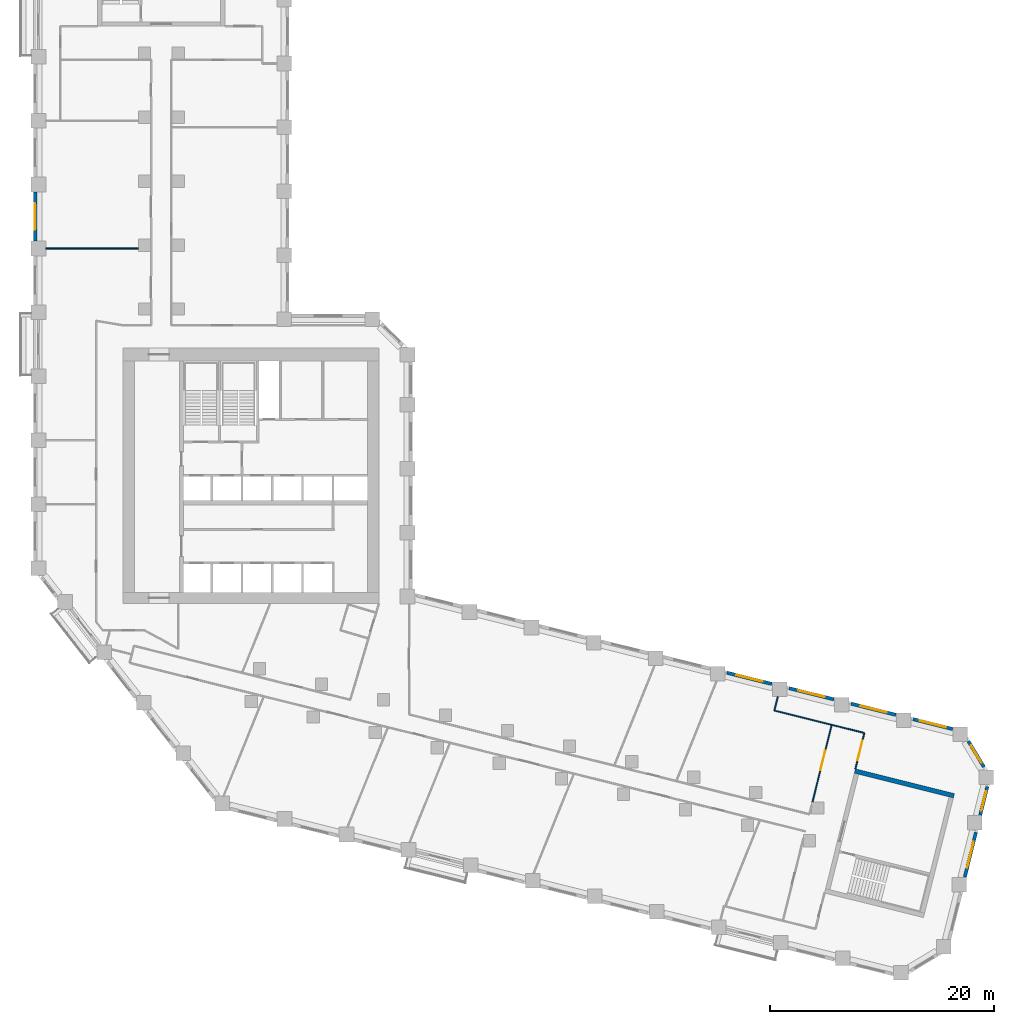
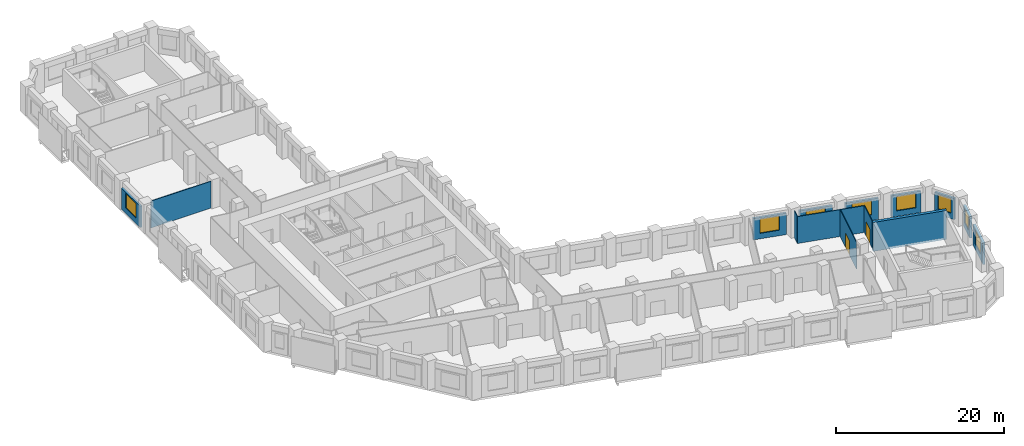
# One storey, part 7 of 10: 15 walls, 8 windows, 2 doors, 10 openings.
"""IFC4 building model written with IfcOpenShell, lengths in metres."""

from ifc_helpers import new_model, si_unit, direction, frame, frame_2d, origin, place, context, subcontext, project, spatial, rectangle, extrude, material, layer, layer_set, type_object, element, fill, save


model = new_model("IFC4")

# Units and contexts
model_context = context("Model", 3, precision=1e-05, world=origin(), true_north=direction((0.0, 1.0)))
body_context = subcontext(model_context, "Body", "Model", "MODEL_VIEW")
ifc_project = project(units=[si_unit("LENGTHUNIT", "METRE"), si_unit("AREAUNIT", "SQUARE_METRE"), si_unit("VOLUMEUNIT", "CUBIC_METRE"), si_unit("PLANEANGLEUNIT", "RADIAN"), si_unit("MASSUNIT", "GRAM", prefix="KILO")], contexts=[model_context])

# Site, building, storey
site_placement = place(None, origin())
site = spatial("IfcSite", under=ifc_project, at=site_placement, CompositionType="ELEMENT")
building_placement = place(site_placement, origin())
building = spatial("IfcBuilding", under=site, at=building_placement, Name="Meshkara Civic Tower", CompositionType="ELEMENT")
storey_placement = place(building_placement, frame((0.0, 0.0, 126.60009765625)))
storey = spatial("IfcBuildingStorey", under=building, at=storey_placement, Name="L28", CompositionType="ELEMENT", Elevation=126.60009765625)

# Wall, opening, door
ifc_material_1 = material(Name="Corridor wall 100")
ifc_layer_1 = layer(ifc_material_1, 0.10009765625)
ifc_layer_set_1 = layer_set([ifc_layer_1], Name="Corridor wall 100")
wall_type_1 = type_object("IfcWallType", Name="Corridor wall 100", PredefinedType="PARTITIONING", material=ifc_layer_set_1)
wall_1_placement = place(storey_placement, frame((71.177001953125, 3.278076171875, 0.0), z_axis=(0.0, 0.0, 1.0), x_axis=(-0.241853852342, -0.970312688831, 0.0)))
wall_1 = element("IfcWall", 1, at=wall_1_placement, inside=storey, type_object=wall_type_1, Name="L28-W028", PredefinedType="PARTITIONING", context=body_context, shape_type="SweptSolid", body=[
    extrude(rectangle(XDim=7.078369140625, YDim=0.10009765625, at=frame_2d((3.5390625, 0.0))), origin(), (0.0, 0.0, 1.0), 3.89990234375),
])
opening_1_placement = place(wall_1_placement, frame((2.3798828125, 0.0, 0.0)))
opening_1 = element("IfcOpeningElement", 2, at=opening_1_placement, cuts=wall_1, Name="Opening L28-D010", PredefinedType="OPENING", context=body_context, shape_type="SweptSolid", body=[
    extrude(rectangle(XDim=1.800048828125, YDim=2.10009765625, at=frame_2d((0.89990234375, 1.050048828125))), frame((0.0, 0.06005859375, 0.0), z_axis=(0.0, -1.0, 0.0), x_axis=(1.0, 0.0, 0.0)), (0.0, 0.0, 1.0), 0.1201171875),
])
ifc_material_2 = material(Name="Door pair 1800 x 2100")
door_type = type_object("IfcDoorType", Name="Door pair 1800 x 2100", OperationType="SINGLE_SWING_LEFT", PredefinedType="DOOR", material=ifc_material_2)
door_1_placement = place(opening_1_placement, origin())
door_1 = element("IfcDoor", 3, at=door_1_placement, inside=storey, type_object=door_type, Name="L28-D010", OperationType="DOUBLE_DOOR_SINGLE_SWING", OverallHeight=2.10009765625, OverallWidth=1.800048828125, PredefinedType="DOOR", context=body_context, shape_type="SweptSolid", body=[
    extrude(rectangle(XDim=1.800048828125, YDim=2.10009765625, at=frame_2d((0.89990234375, 1.050048828125))), frame((0.0, 0.02490234375, 0.0), z_axis=(0.0, -1.0, 0.0), x_axis=(1.0, 0.0, 0.0)), (0.0, 0.0, 1.0), 0.050048828125),
])
fill(opening_1, door_1)

wall_2_placement = place(storey_placement, frame((73.2900390625, -0.64990234375, 0.0), z_axis=(0.0, 0.0, 1.0), x_axis=(0.241786986316, 0.970329352977, 0.0)))
wall_2 = element("IfcWall", 4, at=wall_2_placement, inside=storey, type_object=wall_type_1, Name="L28-W029", PredefinedType="PARTITIONING", context=body_context, shape_type="SweptSolid", body=[
    extrude(rectangle(XDim=3.2998046875, YDim=0.10009765625, at=frame_2d((1.64990234375, 0.0))), origin(), (0.0, 0.0, 1.0), 3.89990234375),
])
opening_2_placement = place(wall_2_placement, frame((0.780029296875, 0.0, 0.0)))
opening_2 = element("IfcOpeningElement", 5, at=opening_2_placement, cuts=wall_2, Name="Opening L28-D011", PredefinedType="OPENING", context=body_context, shape_type="SweptSolid", body=[
    extrude(rectangle(XDim=1.800048828125, YDim=2.10009765625, at=frame_2d((0.89990234375, 1.050048828125))), frame((0.0, 0.06005859375, 0.0), z_axis=(0.0, -1.0, 0.0), x_axis=(1.0, 0.0, 0.0)), (0.0, 0.0, 1.0), 0.1201171875),
])
door_2_placement = place(opening_2_placement, origin())
door_2 = element("IfcDoor", 6, at=door_2_placement, inside=storey, type_object=door_type, Name="L28-D011", OperationType="DOUBLE_DOOR_SINGLE_SWING", OverallHeight=2.10009765625, OverallWidth=1.800048828125, PredefinedType="DOOR", context=body_context, shape_type="SweptSolid", body=[
    extrude(rectangle(XDim=1.800048828125, YDim=2.10009765625, at=frame_2d((0.89990234375, 1.050048828125))), frame((0.0, 0.02490234375, 0.0), z_axis=(0.0, -1.0, 0.0), x_axis=(1.0, 0.0, 0.0)), (0.0, 0.0, 1.0), 0.050048828125),
])
fill(opening_2, door_2)

# Wall
wall_3_placement = place(storey_placement, frame((74.087890625, 2.552001953125, 0.0), z_axis=(0.0, 0.0, 1.0), x_axis=(-0.970271610033, 0.242018600037, 0.0)))
element("IfcWall", 7, at=wall_3_placement, inside=storey, type_object=wall_type_1, Name="L28-W030", PredefinedType="PARTITIONING", context=body_context, shape_type="SweptSolid", body=[
    extrude(rectangle(XDim=3.0, YDim=0.10009765625, at=frame_2d((1.5, 0.0))), origin(), (0.0, 0.0, 1.0), 3.89990234375),
])

# Wall, opening, window
ifc_material_3 = material(Name="Insulated infill panel with bronze anodised aluminium cladding", Category="aluminium")
ifc_layer_2 = layer(ifc_material_3, 0.300048828125)
ifc_layer_set_2 = layer_set([ifc_layer_2], Name="EXTERNAL INFILL WALL 300")
wall_type_2 = type_object("IfcWallType", Name="EXTERNAL INFILL WALL 300", PredefinedType="SOLIDWALL", material=ifc_layer_set_2)
wall_4_placement = place(storey_placement, frame((81.962890625, 2.906982421875, 0.0), z_axis=(0.0, 0.0, 1.0), x_axis=(-0.970248953144, 0.24210941519, 0.0)))
wall_4 = element("IfcWall", 8, at=wall_4_placement, inside=storey, type_object=wall_type_2, Name="External wall", PredefinedType="SOLIDWALL", context=body_context, shape_type="SweptSolid", body=[
    extrude(rectangle(XDim=3.63916015625, YDim=0.300048828125, at=frame_2d((1.819580078125, 0.0))), origin(), (0.0, 0.0, 1.0), 3.099853515625),
])
opening_3_placement = place(wall_4_placement, frame((0.6201171875, 0.0, 0.800048828125)))
opening_3 = element("IfcOpeningElement", 9, at=opening_3_placement, cuts=wall_4, Name="Opening W7", PredefinedType="OPENING", context=body_context, shape_type="SweptSolid", body=[
    extrude(rectangle(XDim=2.39990234375, YDim=2.10009765625, at=frame_2d((1.199951171875, 1.050048828125))), frame((0.0, 0.159912109375, 0.0), z_axis=(0.0, -1.0, 0.0), x_axis=(1.0, 0.0, 0.0)), (0.0, 0.0, 1.0), 0.320068359375),
])
ifc_material_4 = material(Name="Tinted double glazing", Category="glass")
window_type_1 = type_object("IfcWindowType", Name="WINDOW 2400x2100", PartitioningType="DOUBLE_PANEL_VERTICAL", PredefinedType="WINDOW", material=ifc_material_4)
window_1_placement = place(opening_3_placement, origin())
window_1 = element("IfcWindow", 10, at=window_1_placement, inside=storey, type_object=window_type_1, Name="Window", OverallHeight=2.10009765625, OverallWidth=2.39990234375, PartitioningType="DOUBLE_PANEL_VERTICAL", PredefinedType="WINDOW", context=body_context, shape_type="SweptSolid", body=[
    extrude(rectangle(XDim=2.39990234375, YDim=2.10009765625, at=frame_2d((1.199951171875, 1.050048828125))), frame((0.0, 0.030029296875, 0.0), z_axis=(0.0, -1.0, 0.0), x_axis=(1.0, 0.0, 0.0)), (0.0, 0.0, 1.0), 0.06005859375),
])
fill(opening_3, window_1)

wall_5_placement = place(storey_placement, frame((76.903076171875, 4.1689453125, 0.0), z_axis=(0.0, 0.0, 1.0), x_axis=(-0.970267747908, 0.242034083076, 0.0)))
wall_5 = element("IfcWall", 11, at=wall_5_placement, inside=storey, type_object=wall_type_2, Name="External wall", PredefinedType="SOLIDWALL", context=body_context, shape_type="SweptSolid", body=[
    extrude(rectangle(XDim=4.12353515625, YDim=0.300048828125, at=frame_2d((2.061767578125, 0.0))), origin(), (0.0, 0.0, 1.0), 3.099853515625),
])
opening_4_placement = place(wall_5_placement, frame((0.862060546875, 0.0, 0.800048828125)))
opening_4 = element("IfcOpeningElement", 12, at=opening_4_placement, cuts=wall_5, Name="Opening W7", PredefinedType="OPENING", context=body_context, shape_type="SweptSolid", body=[
    extrude(rectangle(XDim=2.39990234375, YDim=2.10009765625, at=frame_2d((1.199951171875, 1.050048828125))), frame((0.0, 0.159912109375, 0.0), z_axis=(0.0, -1.0, 0.0), x_axis=(1.0, 0.0, 0.0)), (0.0, 0.0, 1.0), 0.320068359375),
])
window_2_placement = place(opening_4_placement, origin())
window_2 = element("IfcWindow", 13, at=window_2_placement, inside=storey, type_object=window_type_1, Name="Window", OverallHeight=2.10009765625, OverallWidth=2.39990234375, PartitioningType="DOUBLE_PANEL_VERTICAL", PredefinedType="WINDOW", context=body_context, shape_type="SweptSolid", body=[
    extrude(rectangle(XDim=2.39990234375, YDim=2.10009765625, at=frame_2d((1.199951171875, 1.050048828125))), frame((0.0, 0.030029296875, 0.0), z_axis=(0.0, -1.0, 0.0), x_axis=(1.0, 0.0, 0.0)), (0.0, 0.0, 1.0), 0.06005859375),
])
fill(opening_4, window_2)

wall_6_placement = place(storey_placement, frame((71.373046875, 5.548095703125, 0.0), z_axis=(0.0, 0.0, 1.0), x_axis=(-0.97029551261, 0.241922752565, 0.0)))
wall_6 = element("IfcWall", 14, at=wall_6_placement, inside=storey, type_object=wall_type_2, Name="External wall", PredefinedType="SOLIDWALL", context=body_context, shape_type="SweptSolid", body=[
    extrude(rectangle(XDim=4.12451171875, YDim=0.300048828125, at=frame_2d((2.062255859375, 0.0))), origin(), (0.0, 0.0, 1.0), 3.099853515625),
])
opening_5_placement = place(wall_6_placement, frame((0.862060546875, 0.0, 0.800048828125)))
opening_5 = element("IfcOpeningElement", 15, at=opening_5_placement, cuts=wall_6, Name="Opening W7", PredefinedType="OPENING", context=body_context, shape_type="SweptSolid", body=[
    extrude(rectangle(XDim=2.39990234375, YDim=2.10009765625, at=frame_2d((1.199951171875, 1.050048828125))), frame((0.0, 0.159912109375, 0.0), z_axis=(0.0, -1.0, 0.0), x_axis=(1.0, 0.0, 0.0)), (0.0, 0.0, 1.0), 0.320068359375),
])
window_3_placement = place(opening_5_placement, origin())
window_3 = element("IfcWindow", 16, at=window_3_placement, inside=storey, type_object=window_type_1, Name="Window", OverallHeight=2.10009765625, OverallWidth=2.39990234375, PartitioningType="DOUBLE_PANEL_VERTICAL", PredefinedType="WINDOW", context=body_context, shape_type="SweptSolid", body=[
    extrude(rectangle(XDim=2.39990234375, YDim=2.10009765625, at=frame_2d((1.199951171875, 1.050048828125))), frame((0.0, 0.030029296875, 0.0), z_axis=(0.0, -1.0, 0.0), x_axis=(1.0, 0.0, 0.0)), (0.0, 0.0, 1.0), 0.06005859375),
])
fill(opening_5, window_3)

wall_7_placement = place(storey_placement, frame((65.842041015625, 6.927001953125, 0.0), z_axis=(0.0, 0.0, 1.0), x_axis=(-0.970281616392, 0.241978480223, 0.0)))
wall_7 = element("IfcWall", 17, at=wall_7_placement, inside=storey, type_object=wall_type_2, Name="External wall", PredefinedType="SOLIDWALL", context=body_context, shape_type="SweptSolid", body=[
    extrude(rectangle(XDim=4.12451171875, YDim=0.300048828125, at=frame_2d((2.062255859375, 0.0))), origin(), (0.0, 0.0, 1.0), 3.099853515625),
])
opening_6_placement = place(wall_7_placement, frame((0.862060546875, 0.0, 0.800048828125)))
opening_6 = element("IfcOpeningElement", 18, at=opening_6_placement, cuts=wall_7, Name="Opening W7", PredefinedType="OPENING", context=body_context, shape_type="SweptSolid", body=[
    extrude(rectangle(XDim=2.39990234375, YDim=2.10009765625, at=frame_2d((1.199951171875, 1.050048828125))), frame((0.0, 0.159912109375, 0.0), z_axis=(0.0, -1.0, 0.0), x_axis=(1.0, 0.0, 0.0)), (0.0, 0.0, 1.0), 0.320068359375),
])
window_4_placement = place(opening_6_placement, origin())
window_4 = element("IfcWindow", 19, at=window_4_placement, inside=storey, type_object=window_type_1, Name="Window", OverallHeight=2.10009765625, OverallWidth=2.39990234375, PartitioningType="DOUBLE_PANEL_VERTICAL", PredefinedType="WINDOW", context=body_context, shape_type="SweptSolid", body=[
    extrude(rectangle(XDim=2.39990234375, YDim=2.10009765625, at=frame_2d((1.199951171875, 1.050048828125))), frame((0.0, 0.030029296875, 0.0), z_axis=(0.0, -1.0, 0.0), x_axis=(1.0, 0.0, 0.0)), (0.0, 0.0, 1.0), 0.06005859375),
])
fill(opening_6, window_4)

wall_8_placement = place(storey_placement, frame((0.14990234375, 50.804931640625, 0.0), z_axis=(0.0, 0.0, 1.0), x_axis=(0.0, -1.0, 0.0)))
wall_8 = element("IfcWall", 20, at=wall_8_placement, inside=storey, type_object=wall_type_2, Name="External wall", PredefinedType="SOLIDWALL", context=body_context, shape_type="SweptSolid", body=[
    extrude(rectangle(XDim=4.39990234375, YDim=0.300048828125, at=frame_2d((2.199951171875, 0.0))), origin(), (0.0, 0.0, 1.0), 3.099853515625),
])
opening_7_placement = place(wall_8_placement, frame((1.0, 0.0, 0.800048828125)))
opening_7 = element("IfcOpeningElement", 21, at=opening_7_placement, cuts=wall_8, Name="Opening W7", PredefinedType="OPENING", context=body_context, shape_type="SweptSolid", body=[
    extrude(rectangle(XDim=2.39990234375, YDim=2.10009765625, at=frame_2d((1.199951171875, 1.050048828125))), frame((0.0, 0.159912109375, 0.0), z_axis=(0.0, -1.0, 0.0), x_axis=(1.0, 0.0, 0.0)), (0.0, 0.0, 1.0), 0.320068359375),
])
window_5_placement = place(opening_7_placement, origin())
window_5 = element("IfcWindow", 22, at=window_5_placement, inside=storey, type_object=window_type_1, Name="Window", OverallHeight=2.10009765625, OverallWidth=2.39990234375, PartitioningType="DOUBLE_PANEL_VERTICAL", PredefinedType="WINDOW", context=body_context, shape_type="SweptSolid", body=[
    extrude(rectangle(XDim=2.39990234375, YDim=2.10009765625, at=frame_2d((1.199951171875, 1.050048828125))), frame((0.0, 0.030029296875, 0.0), z_axis=(0.0, -1.0, 0.0), x_axis=(1.0, 0.0, 0.0)), (0.0, 0.0, 1.0), 0.06005859375),
])
fill(opening_7, window_5)

wall_9_placement = place(storey_placement, frame((83.0439453125, -10.301025390625, 0.0), z_axis=(0.0, 0.0, 1.0), x_axis=(0.242034083076, 0.970267747908, 0.0)))
wall_9 = element("IfcWall", 23, at=wall_9_placement, inside=storey, type_object=wall_type_2, Name="External wall", PredefinedType="SOLIDWALL", context=body_context, shape_type="SweptSolid", body=[
    extrude(rectangle(XDim=4.12353515625, YDim=0.300048828125, at=frame_2d((2.061767578125, 0.0))), origin(), (0.0, 0.0, 1.0), 3.099853515625),
])
opening_8_placement = place(wall_9_placement, frame((0.862060546875, 0.0, 0.800048828125)))
opening_8 = element("IfcOpeningElement", 24, at=opening_8_placement, cuts=wall_9, Name="Opening W7", PredefinedType="OPENING", context=body_context, shape_type="SweptSolid", body=[
    extrude(rectangle(XDim=2.39990234375, YDim=2.10009765625, at=frame_2d((1.199951171875, 1.050048828125))), frame((0.0, 0.159912109375, 0.0), z_axis=(0.0, -1.0, 0.0), x_axis=(1.0, 0.0, 0.0)), (0.0, 0.0, 1.0), 0.320068359375),
])
window_6_placement = place(opening_8_placement, origin())
window_6 = element("IfcWindow", 25, at=window_6_placement, inside=storey, type_object=window_type_1, Name="Window", OverallHeight=2.10009765625, OverallWidth=2.39990234375, PartitioningType="DOUBLE_PANEL_VERTICAL", PredefinedType="WINDOW", context=body_context, shape_type="SweptSolid", body=[
    extrude(rectangle(XDim=2.39990234375, YDim=2.10009765625, at=frame_2d((1.199951171875, 1.050048828125))), frame((0.0, 0.030029296875, 0.0), z_axis=(0.0, -1.0, 0.0), x_axis=(1.0, 0.0, 0.0)), (0.0, 0.0, 1.0), 0.06005859375),
])
fill(opening_8, window_6)

wall_10_placement = place(storey_placement, frame((84.423095703125, -4.77099609375, 0.0), z_axis=(0.0, 0.0, 1.0), x_axis=(0.241941668773, 0.970290796056, 0.0)))
wall_10 = element("IfcWall", 26, at=wall_10_placement, inside=storey, type_object=wall_type_2, Name="External wall", PredefinedType="SOLIDWALL", context=body_context, shape_type="SweptSolid", body=[
    extrude(rectangle(XDim=2.611572265625, YDim=0.300048828125, at=frame_2d((1.3056640625, 0.0))), origin(), (0.0, 0.0, 1.0), 3.099853515625),
])
opening_9_placement = place(wall_10_placement, frame((0.406005859375, 0.0, 0.800048828125)))
opening_9 = element("IfcOpeningElement", 27, at=opening_9_placement, cuts=wall_10, Name="Opening W9", PredefinedType="OPENING", context=body_context, shape_type="SweptSolid", body=[
    extrude(rectangle(XDim=1.800048828125, YDim=2.10009765625, at=frame_2d((0.89990234375, 1.050048828125))), frame((0.0, 0.159912109375, 0.0), z_axis=(0.0, -1.0, 0.0), x_axis=(1.0, 0.0, 0.0)), (0.0, 0.0, 1.0), 0.320068359375),
])
ifc_material_5 = material(Name="Tinted double glazing", Category="glass")
window_type_2 = type_object("IfcWindowType", Name="WINDOW 1800x2100", PartitioningType="DOUBLE_PANEL_VERTICAL", PredefinedType="WINDOW", material=ifc_material_5)
window_7_placement = place(opening_9_placement, origin())
window_7 = element("IfcWindow", 28, at=window_7_placement, inside=storey, type_object=window_type_2, Name="Window", OverallHeight=2.10009765625, OverallWidth=1.800048828125, PartitioningType="DOUBLE_PANEL_VERTICAL", PredefinedType="WINDOW", context=body_context, shape_type="SweptSolid", body=[
    extrude(rectangle(XDim=1.800048828125, YDim=2.10009765625, at=frame_2d((0.89990234375, 1.050048828125))), frame((0.0, 0.030029296875, 0.0), z_axis=(0.0, -1.0, 0.0), x_axis=(1.0, 0.0, 0.0)), (0.0, 0.0, 1.0), 0.06005859375),
])
fill(opening_9, window_7)

wall_11_placement = place(storey_placement, frame((84.751953125, -0.48095703125, 0.0), z_axis=(0.0, 0.0, 1.0), x_axis=(-0.515138971391, 0.857106667898, 0.0)))
wall_11 = element("IfcWall", 29, at=wall_11_placement, inside=storey, type_object=wall_type_2, Name="External wall", PredefinedType="SOLIDWALL", context=body_context, shape_type="SweptSolid", body=[
    extrude(rectangle(XDim=2.6787109375, YDim=0.300048828125, at=frame_2d((1.33935546875, 0.0))), origin(), (0.0, 0.0, 1.0), 3.099853515625),
])
opening_10_placement = place(wall_11_placement, frame((0.43896484375, 0.0, 0.800048828125)))
opening_10 = element("IfcOpeningElement", 30, at=opening_10_placement, cuts=wall_11, Name="Opening W9", PredefinedType="OPENING", context=body_context, shape_type="SweptSolid", body=[
    extrude(rectangle(XDim=1.800048828125, YDim=2.10009765625, at=frame_2d((0.89990234375, 1.050048828125))), frame((0.0, 0.159912109375, 0.0), z_axis=(0.0, -1.0, 0.0), x_axis=(1.0, 0.0, 0.0)), (0.0, 0.0, 1.0), 0.320068359375),
])
window_8_placement = place(opening_10_placement, origin())
window_8 = element("IfcWindow", 31, at=window_8_placement, inside=storey, type_object=window_type_2, Name="Window", OverallHeight=2.10009765625, OverallWidth=1.800048828125, PartitioningType="DOUBLE_PANEL_VERTICAL", PredefinedType="WINDOW", context=body_context, shape_type="SweptSolid", body=[
    extrude(rectangle(XDim=1.800048828125, YDim=2.10009765625, at=frame_2d((0.89990234375, 1.050048828125))), frame((0.0, 0.030029296875, 0.0), z_axis=(0.0, -1.0, 0.0), x_axis=(1.0, 0.0, 0.0)), (0.0, 0.0, 1.0), 0.06005859375),
])
fill(opening_10, window_8)

# Walls
ifc_material_6 = material(Name="Concrete C70", Category="concrete")
ifc_layer_3 = layer(ifc_material_6, 0.39990234375)
ifc_layer_set_3 = layer_set([ifc_layer_3], Name="End core ring wall 400 C70")
wall_type_3 = type_object("IfcWallType", Name="End core ring wall 400 C70", PredefinedType="SHEAR", material=ifc_layer_set_3)
wall_12_placement = place(storey_placement, frame((73.240966796875, -0.843994140625, -0.300048828125), z_axis=(0.0, 0.0, 1.0), x_axis=(0.970312696888, -0.241853820019, 0.0)))
element("IfcWall", 32, at=wall_12_placement, inside=storey, type_object=wall_type_3, Name="L28-C032", PredefinedType="SHEAR", context=body_context, shape_type="SweptSolid", body=[
    extrude(rectangle(XDim=9.100341796875, YDim=0.39990234375, at=frame_2d((4.55029296875, 0.0))), origin(), (0.0, 0.0, 1.0), 4.199951171875),
])
ifc_material_7 = material(Name="Partition 100")
ifc_layer_4 = layer(ifc_material_7, 0.10009765625)
ifc_layer_set_4 = layer_set([ifc_layer_4], Name="Partition 100")
wall_type_4 = type_object("IfcWallType", Name="Partition 100", PredefinedType="PARTITIONING", material=ifc_layer_set_4)
wall_13_placement = place(storey_placement, frame((9.35009765625, 45.7548828125, 0.0), z_axis=(0.0, 0.0, 1.0), x_axis=(-1.0, 0.0, 0.0)))
element("IfcWall", 33, at=wall_13_placement, inside=storey, type_object=wall_type_4, Name="L28-W037", PredefinedType="PARTITIONING", context=body_context, shape_type="SweptSolid", body=[
    extrude(rectangle(XDim=8.25, YDim=0.10009765625, at=frame_2d((4.125, 0.0))), origin(), (0.0, 0.0, 1.0), 3.89990234375),
])
wall_14_placement = place(storey_placement, frame((66.06298828125, 4.552978515625, 0.0), z_axis=(0.0, 0.0, 1.0), x_axis=(0.242221476086, 0.970220983345, 0.0)))
element("IfcWall", 34, at=wall_14_placement, inside=storey, type_object=wall_type_4, Name="L28-W054", PredefinedType="PARTITIONING", context=body_context, shape_type="SweptSolid", body=[
    extrude(rectangle(XDim=1.280029296875, YDim=0.10009765625, at=frame_2d((0.64013671875, 0.0))), origin(), (0.0, 0.0, 1.0), 3.89990234375),
])
wall_15_placement = place(storey_placement, frame((71.180908203125, 3.277099609375, 0.0), z_axis=(0.0, 0.0, 1.0), x_axis=(-0.970302928568, 0.24189300695, 0.0)))
element("IfcWall", 35, at=wall_15_placement, inside=storey, type_object=wall_type_4, Name="L28-W055", PredefinedType="PARTITIONING", context=body_context, shape_type="SweptSolid", body=[
    extrude(rectangle(XDim=5.274658203125, YDim=0.10009765625, at=frame_2d((2.63720703125, 0.0))), origin(), (0.0, 0.0, 1.0), 3.89990234375),
])

save(model, "model.ifc")
